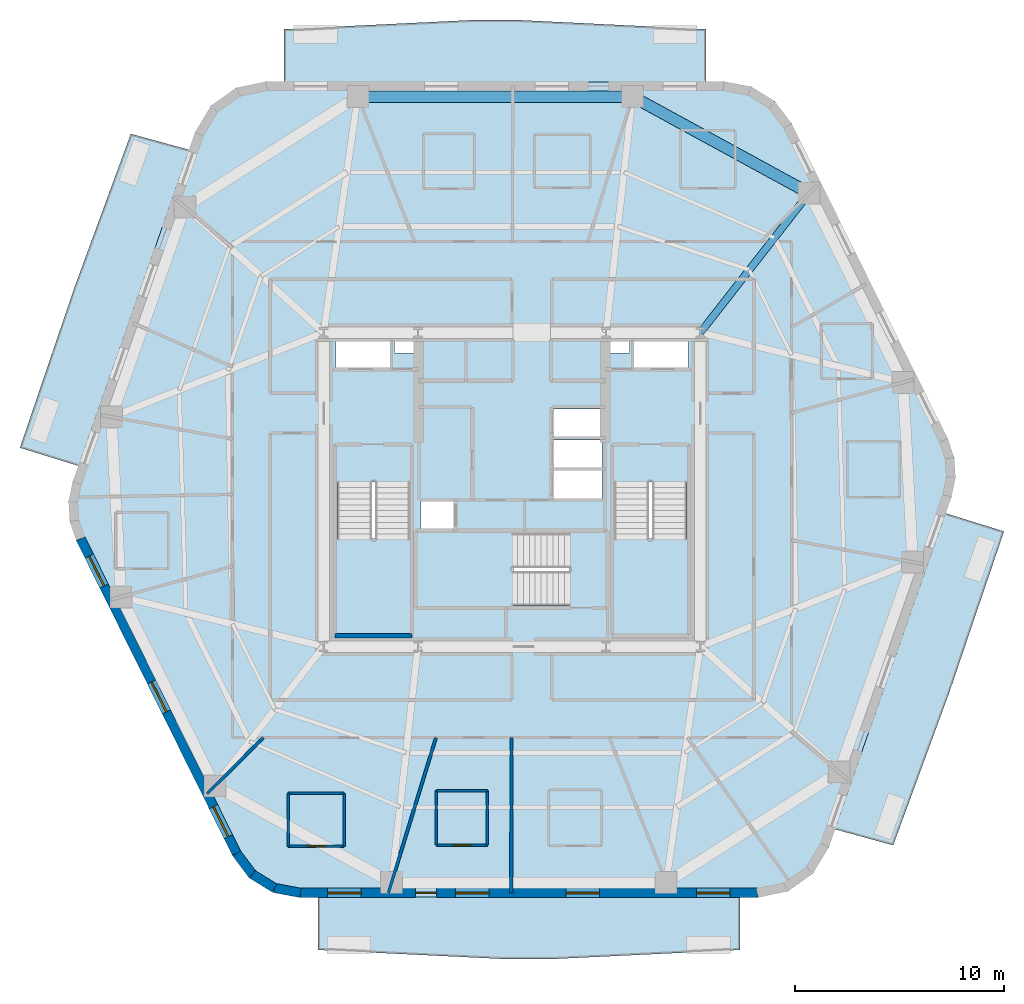
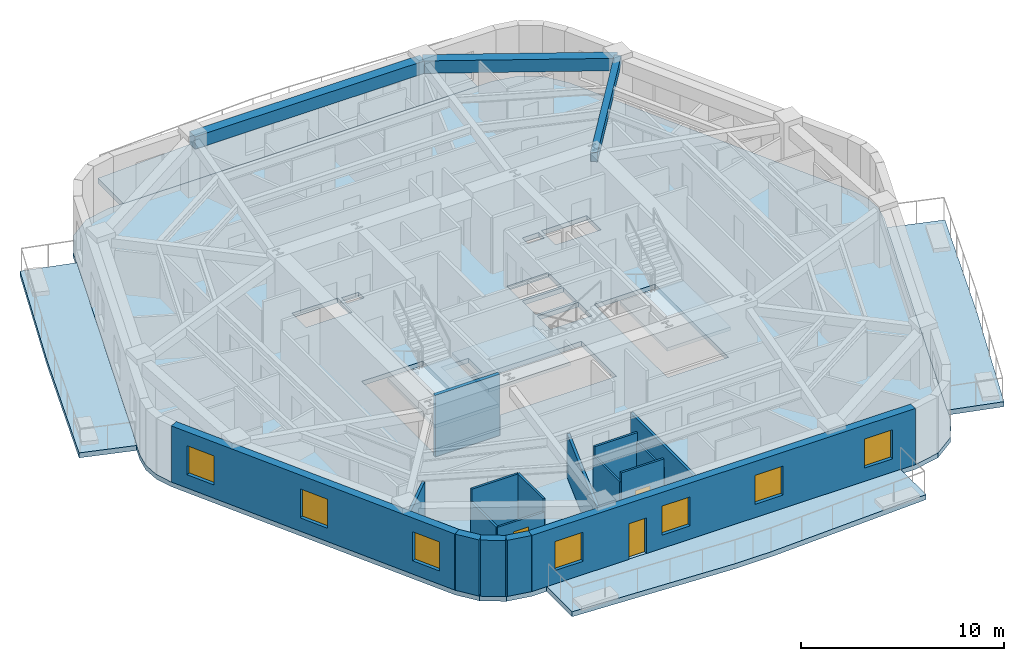
# One storey, part 2 of 11: 17 walls, 8 slabs, 7 windows, 3 beams, 3 doors, 10 openings, 3 elements without a shape of their own.
"""IFC4 building model written with IfcOpenShell, lengths in metres."""

import ifcopenshell
import ifcopenshell.guid

model = None  # the IFC model being written
_history = None  # IfcOwnerHistory: only IFC2X3 demands one
_inside = {}  # id of a spatial element -> (the spatial element, [elements in it])
_under = {}  # id of a project, library or spatial element -> (it, [spatial elements below it])
_declared = {}  # id of a project -> (the project, [libraries it declares])
_typed = {}  # id of a type object -> (the type object, [elements of that type])
_made_of = {}  # id of a material, layer set ... -> (it, [elements and type objects made of it])


def new_model(schema):
    """Start an empty IFC model of exactly this schema.

    Asked for "IFC4X3", IfcOpenShell would pick the latest addendum, in which some entities
    have other attributes; the version numbers below select the first issue.
    IFC2X3 requires an IfcOwnerHistory on every rooted entity: one is made here for all.
    """
    global model, _history
    if schema == "IFC4X3":
        model = ifcopenshell.file(schema_version=(4, 3, 0, 0))
    else:
        model = ifcopenshell.file(schema=schema)
    _inside.clear()
    _under.clear()
    _declared.clear()
    _typed.clear()
    _made_of.clear()
    _history = None
    if model.schema == "IFC2X3":
        org = make("IfcOrganization", Name="unknown")
        user = make(
            "IfcPersonAndOrganization",
            ThePerson=make("IfcPerson", FamilyName="unknown"),
            TheOrganization=org,
        )
        app = make(
            "IfcApplication",
            ApplicationDeveloper=org,
            Version="unknown",
            ApplicationFullName="unknown",
            ApplicationIdentifier="unknown",
        )
        _history = make(
            "IfcOwnerHistory",
            OwningUser=user,
            OwningApplication=app,
            ChangeAction="ADDED",
            CreationDate=0,
        )
    return model


def make(cls, **values):
    """One entity of the class cls with the attributes given. An attribute that is None is left unset."""
    return model.create_entity(
        cls, **{name: value for name, value in values.items() if value is not None}
    )


def rooted(cls, **values):
    """An entity with a GlobalId (a new one), such as an element, a storey or a relation."""
    return make(cls, GlobalId=ifcopenshell.guid.new(), OwnerHistory=_history, **values)


def si_unit(unit_type, name, prefix=None):
    """IfcSIUnit, for example si_unit("LENGTHUNIT", "METRE", prefix="MILLI")."""
    return make("IfcSIUnit", UnitType=unit_type, Prefix=prefix, Name=name)


def assignment(units):
    """IfcUnitAssignment: the units of a project."""
    return None if units is None else make("IfcUnitAssignment", Units=units)


def point(xyz):
    """IfcCartesianPoint."""
    return None if xyz is None else make("IfcCartesianPoint", Coordinates=xyz)


def direction(xyz):
    """IfcDirection."""
    return None if xyz is None else make("IfcDirection", DirectionRatios=xyz)


def frame(location, z_axis=None, x_axis=None):
    """IfcAxis2Placement3D, a coordinate frame: its origin and axes. An axis left out is left unset."""
    return make(
        "IfcAxis2Placement3D",
        Location=point(location),
        Axis=direction(z_axis),
        RefDirection=direction(x_axis),
    )


def frame_2d(location, x_axis=None):
    """IfcAxis2Placement2D, a coordinate frame in the plane: its origin and x axis."""
    return make(
        "IfcAxis2Placement2D", Location=point(location), RefDirection=direction(x_axis)
    )


def origin():
    """The frame at (0, 0, 0) with its axes left unset."""
    return frame((0.0, 0.0, 0.0))


def origin_2d():
    """The frame at (0, 0) in the plane with its x axis left unset."""
    return frame_2d((0.0, 0.0))


def place(relative_to, where):
    """IfcLocalPlacement: puts the frame where relative to a parent placement (None: the world)."""
    return make(
        "IfcLocalPlacement", PlacementRelTo=relative_to, RelativePlacement=where
    )


def context(
    kind, dimensions, precision=None, world=None, true_north=None, identifier=None
):
    """IfcGeometricRepresentationContext, for example the 3D "Model" context."""
    return make(
        "IfcGeometricRepresentationContext",
        ContextIdentifier=identifier,
        ContextType=kind,
        CoordinateSpaceDimension=dimensions,
        Precision=precision,
        WorldCoordinateSystem=world,
        TrueNorth=true_north,
    )


def subcontext(parent, identifier, kind, view, scale=None):
    """IfcGeometricRepresentationSubContext, for example "Body" below "Model"."""
    return make(
        "IfcGeometricRepresentationSubContext",
        ContextIdentifier=identifier,
        ContextType=kind,
        ParentContext=parent,
        TargetScale=scale,
        TargetView=view,
    )


def project(units=None, contexts=None):
    """IfcProject with its units and contexts."""
    return rooted(
        "IfcProject",
        Name="project",
        RepresentationContexts=contexts,
        UnitsInContext=assignment(units),
    )


def spatial(cls, under=None, at=None, **own):
    """A site, building, storey or space (cls), placed at a placement, below another one or the project."""
    s = rooted(cls, ObjectPlacement=at, **own)
    if under is not None:
        _under.setdefault(under.id(), (under, []))[1].append(s)
    return s


def polyline(points):
    """IfcPolyline through the points."""
    return make("IfcPolyline", Points=[point(p) for p in points])


def profile(cls, at=None, kind="AREA", **sizes):
    """A parametric profile (cls). Its sizes go by their IFC names, for example OverallWidth=200.0."""
    return make(cls, ProfileType=kind, Position=at, **sizes)


def rectangle(**sizes):
    """IfcRectangleProfileDef."""
    return profile("IfcRectangleProfileDef", **sizes)


def outline(outer, holes=None, kind="AREA"):
    """IfcArbitraryClosedProfileDef: a profile drawn as a closed curve; with holes, ...WithVoids."""
    if holes is None:
        return make("IfcArbitraryClosedProfileDef", ProfileType=kind, OuterCurve=outer)
    return make(
        "IfcArbitraryProfileDefWithVoids",
        ProfileType=kind,
        OuterCurve=outer,
        InnerCurves=holes,
    )


def extrude(swept, where, along, depth):
    """IfcExtrudedAreaSolid: the profile swept, set in the frame where, extruded along a direction by depth."""
    return make(
        "IfcExtrudedAreaSolid",
        SweptArea=swept,
        Position=where,
        ExtrudedDirection=direction(along),
        Depth=depth,
    )


def shape(context_of_items, identifier, shape_type, items):
    """IfcShapeRepresentation: the items that make up one representation, for example the "Body"."""
    return make(
        "IfcShapeRepresentation",
        ContextOfItems=context_of_items,
        RepresentationIdentifier=identifier,
        RepresentationType=shape_type,
        Items=items,
    )


def material(Name=None, Category=None):
    """IfcMaterial."""
    return make("IfcMaterial", Name=Name, Category=Category)


def layer(
    of_material, thickness, ventilated=None, Name=None, Category=None, Priority=None
):
    """IfcMaterialLayer: one layer of a wall or slab, of a material (None: an air gap)."""
    return make(
        "IfcMaterialLayer",
        Material=of_material,
        LayerThickness=thickness,
        IsVentilated=ventilated,
        Name=Name,
        Category=Category,
        Priority=Priority,
    )


def layer_set(layers, Name=None):
    """IfcMaterialLayerSet."""
    return make("IfcMaterialLayerSet", MaterialLayers=layers, LayerSetName=Name)


def material_profile(
    of_material, cross_section, Name=None, Category=None, Priority=None
):
    """IfcMaterialProfile: a cross section and its material."""
    return make(
        "IfcMaterialProfile",
        Name=Name,
        Material=of_material,
        Profile=cross_section,
        Priority=Priority,
        Category=Category,
    )


def profile_set(profiles, Name=None, composite=None):
    """IfcMaterialProfileSet."""
    return make(
        "IfcMaterialProfileSet",
        Name=Name,
        MaterialProfiles=profiles,
        CompositeProfile=composite,
    )


def made_of(thing, what):
    """Note that an element or type object is made of a material, layer set ...; save() writes the relation."""
    if what is not None:
        _made_of.setdefault(what.id(), (what, []))[1].append(thing)
    return thing


def type_object(cls, material=None, **own):
    """A type object (cls), such as IfcWallType, which elements share."""
    return made_of(rooted(cls, **own), material)


def element(
    cls,
    number,
    at=None,
    inside=None,
    cuts=None,
    type_object=None,
    material=None,
    context=None,
    identifier="Body",
    shape_type=None,
    held_by="IfcProductDefinitionShape",
    body=None,
    shapes=None,
    **own,
):
    """One element of the class cls, such as IfcWall. Its Tag is "e" and its number.

    at: its placement. inside: the storey or other place that contains it. cuts: it is an
    opening in that element (IfcRelVoidsElement). A single representation is given by context,
    identifier, shape_type and body (its items); several are given by shapes. held_by: the class
    of the entity that holds the representations. save() writes the other relations.
    """
    e = rooted(cls, Tag="e%d" % number, ObjectPlacement=at, **own)
    if body is not None:
        shapes = [shape(context, identifier, shape_type, body)]
    if shapes is not None:
        e.Representation = make(held_by, Representations=shapes)
    if inside is not None:
        _inside.setdefault(inside.id(), (inside, []))[1].append(e)
    if cuts is not None:
        rooted(
            "IfcRelVoidsElement", RelatingBuildingElement=cuts, RelatedOpeningElement=e
        )
    if type_object is not None:
        _typed.setdefault(type_object.id(), (type_object, []))[1].append(e)
    return made_of(e, material)


def fill(opening, filler):
    """IfcRelFillsElement: the door or window that sits in an opening."""
    return rooted(
        "IfcRelFillsElement",
        RelatingOpeningElement=opening,
        RelatedBuildingElement=filler,
    )


def aggregate(whole, parts):
    """IfcRelAggregates: a whole, such as a stair, and the parts it consists of."""
    return rooted("IfcRelAggregates", RelatingObject=whole, RelatedObjects=parts)


def save(model, path):
    """Write the relations noted so far, then the file.

    IfcRelAggregates (storeys below a building ...), IfcRelContainedInSpatialStructure (elements
    in a storey), IfcRelDefinesByType, IfcRelAssociatesMaterial and IfcRelDeclares: one each for
    every whole, place, type object, material and project.
    """
    for whole, parts in _under.values():
        aggregate(whole, parts)
    for where, things in _inside.values():
        rooted(
            "IfcRelContainedInSpatialStructure",
            RelatedElements=things,
            RelatingStructure=where,
        )
    for kind, things in _typed.values():
        rooted("IfcRelDefinesByType", RelatedObjects=things, RelatingType=kind)
    for what, things in _made_of.values():
        rooted("IfcRelAssociatesMaterial", RelatedObjects=things, RelatingMaterial=what)
    for by, libraries in _declared.values():
        rooted("IfcRelDeclares", RelatingContext=by, RelatedDefinitions=libraries)
    model.write(path)


model = new_model("IFC4")

# Units and contexts
model_context = context("Model", 3, precision=1e-05, world=origin(), true_north=direction((0.0, 1.0)))
body_context = subcontext(model_context, "Body", "Model", "MODEL_VIEW")
ifc_project = project(units=[si_unit("LENGTHUNIT", "METRE"), si_unit("AREAUNIT", "SQUARE_METRE"), si_unit("VOLUMEUNIT", "CUBIC_METRE"), si_unit("PLANEANGLEUNIT", "RADIAN"), si_unit("MASSUNIT", "GRAM", prefix="KILO")], contexts=[model_context])

# Site, building, storey
site_placement = place(None, origin())
site = spatial("IfcSite", under=ifc_project, at=site_placement, CompositionType="ELEMENT")
building_placement = place(site_placement, origin())
building = spatial("IfcBuilding", under=site, at=building_placement, Name="Kilnhurst Terrace Hotel", CompositionType="ELEMENT")
storey_placement = place(building_placement, frame((0.0, 0.0, 166.5)))
storey = spatial("IfcBuildingStorey", under=building, at=storey_placement, Name="L41", CompositionType="ELEMENT", Elevation=166.5)

# Beams
ifc_material_1 = material(Name="Concrete C50/60", Category="concrete")
ifc_material_profile_1 = material_profile(ifc_material_1, rectangle(XDim=0.35009765625, YDim=0.550048828125, at=origin_2d()), Name="RC350X550")
ifc_profile_set_1 = profile_set([ifc_material_profile_1], Name="Concrete C50/60")
beam_type_1 = type_object("IfcBeamType", Name="BM-RAD-350X550", PredefinedType="BEAM", material=ifc_profile_set_1)
beam_1_placement = place(storey_placement, frame((9.0, 7.5, 3.10498046875), z_axis=(0.615370616457, 0.78823791104, 0.0), x_axis=(-0.78823791104, 0.615370616457, 0.0)))
element("IfcBeam", 1, at=beam_1_placement, inside=storey, type_object=beam_type_1, Name="L41 Radial Floor Beam 6", PredefinedType="BEAM", context=body_context, shape_type="SweptSolid", body=[
    extrude(rectangle(XDim=0.35009765625, YDim=0.550048828125, at=origin_2d()), origin(), (0.0, 0.0, 1.0), 8.456787109375),
])
ifc_material_profile_2 = material_profile(ifc_material_1, rectangle(XDim=0.550048828125, YDim=0.75, at=origin_2d()), Name="RC550X750")
ifc_profile_set_2 = profile_set([ifc_material_profile_2], Name="Concrete C50/60")
beam_type_2 = type_object("IfcBeamType", Name="BM-SPN-550X750", PredefinedType="SPANDREL", material=ifc_profile_set_2)
beam_2_placement = place(storey_placement, frame((14.2041015625, 14.166015625, 3.0048828125), z_axis=(-0.87766189723, 0.479280287672, 0.0), x_axis=(-0.479280287672, -0.87766189723, 0.0)))
element("IfcBeam", 2, at=beam_2_placement, inside=storey, type_object=beam_type_2, Name="L41 Perimeter Spandrel Beam 6", PredefinedType="SPANDREL", context=body_context, shape_type="SweptSolid", body=[
    extrude(rectangle(XDim=0.550048828125, YDim=0.75, at=origin_2d()), origin(), (0.0, 0.0, 1.0), 9.626953125),
])
beam_3_placement = place(storey_placement, frame((5.7548828125, 18.780029296875, 3.0048828125), z_axis=(-1.0, 0.0, 0.0), x_axis=(0.0, -1.0, 0.0)))
element("IfcBeam", 3, at=beam_3_placement, inside=storey, type_object=beam_type_2, Name="L41 Perimeter Spandrel Beam 7", PredefinedType="SPANDREL", context=body_context, shape_type="SweptSolid", body=[
    extrude(rectangle(XDim=0.550048828125, YDim=0.75, at=origin_2d()), origin(), (0.0, 0.0, 1.0), 13.123779296875),
])

# Slabs
ifc_layer_1 = layer(ifc_material_1, 0.300048828125, Name="Concrete C50/60")
ifc_layer_set_1 = layer_set([ifc_layer_1], Name="Concrete C50/60")
slab_type_1 = type_object("IfcSlabType", Name="SLB-BAL-300", PredefinedType="FLOOR", material=ifc_layer_set_1)
slab_1_placement = place(storey_placement, frame((0.0, 0.0, -0.300048828125)))
element("IfcSlab", 4, at=slab_1_placement, inside=storey, type_object=slab_type_1, Name="L41 Cantilevered Planted Terrace Slab BAL-L1A", PredefinedType="FLOOR", context=body_context, shape_type="SweptSolid", body=[
    extrude(outline(polyline([(1.83642578125, -22.43994140625), (-0.221923828125, -22.43994140625), (-9.279296875, -22.0), (-9.279296875, -19.47998046875), (10.8935546875, -19.47998046875), (10.8935546875, -22.0), (1.83642578125, -22.43994140625)])), origin(), (0.0, 0.0, 1.0), 0.300048828125),
])
slab_2_placement = place(storey_placement, frame((0.0, 0.0, -0.300048828125)))
element("IfcSlab", 5, at=slab_2_placement, inside=storey, type_object=slab_type_1, Name="L41 Cantilevered Planted Terrace Slab BAL-L1B", PredefinedType="FLOOR", context=body_context, shape_type="SweptSolid", body=[
    extrude(outline(polyline([(18.216064453125, -17.0), (15.420654296875, -16.2314453125), (20.708251953125, -1.128662109375), (23.511962890625, -2.0), (20.892333984375, -9.7119140625), (18.216064453125, -17.0)])), origin(), (0.0, 0.0, 1.0), 0.300048828125),
])
slab_3_placement = place(storey_placement, frame((0.0, 0.0, -0.300048828125)))
element("IfcSlab", 6, at=slab_3_placement, inside=storey, type_object=slab_type_1, Name="L41 Cantilevered Planted Terrace Slab BAL-L2A", PredefinedType="FLOOR", context=body_context, shape_type="SweptSolid", body=[
    extrude(outline(polyline([(0.221923828125, 22.43994140625), (9.279296875, 22.0), (9.279296875, 19.47998046875), (-10.8935546875, 19.47998046875), (-10.8935546875, 22.0), (-1.83642578125, 22.43994140625), (0.221923828125, 22.43994140625)])), origin(), (0.0, 0.0, 1.0), 0.300048828125),
])
slab_4_placement = place(storey_placement, frame((0.0, 0.0, -0.300048828125)))
element("IfcSlab", 7, at=slab_4_placement, inside=storey, type_object=slab_type_1, Name="L41 Cantilevered Planted Terrace Slab BAL-L2B", PredefinedType="FLOOR", context=body_context, shape_type="SweptSolid", body=[
    extrude(outline(polyline([(-18.216064453125, 17.0), (-15.420654296875, 16.2314453125), (-20.708251953125, 1.128662109375), (-23.511962890625, 2.0), (-20.892333984375, 9.7119140625), (-18.216064453125, 17.0)])), origin(), (0.0, 0.0, 1.0), 0.300048828125),
])
ifc_layer_2 = layer(ifc_material_1, 0.280029296875, Name="Concrete C50/60")
ifc_layer_set_2 = layer_set([ifc_layer_2], Name="Concrete C50/60")
slab_type_2 = type_object("IfcSlabType", Name="SLB-FLR-280", PredefinedType="FLOOR", material=ifc_layer_set_2)
slab_5_placement = place(storey_placement, frame((0.0, 0.0, -0.280029296875)))
element("IfcSlab", 8, at=slab_5_placement, inside=storey, type_object=slab_type_2, Name="L41 Structural Floor Slab", PredefinedType="FLOOR", context=body_context, shape_type="SweptSolid", body=[
    extrude(outline(polyline([(-13.3544921875, -17.499267578125), (-12.5576171875, -18.5576171875), (-11.431640625, -19.256103515625), (-10.12939453125, -19.5), (11.74365234375, -19.5), (13.18310546875, -19.19970703125), (14.38232421875, -18.348876953125), (15.141357421875, -17.089599609375), (20.9990234375, -0.3583984375), (21.192138671875, 0.57568359375), (21.13330078125, 1.527587890625), (20.82666015625, 2.4306640625), (13.3544921875, 17.499267578125), (12.5576171875, 18.5576171875), (11.431640625, 19.256103515625), (10.12939453125, 19.5), (-11.74365234375, 19.5), (-13.18310546875, 19.19970703125), (-14.38232421875, 18.348876953125), (-15.141357421875, 17.089599609375), (-20.9990234375, 0.3583984375), (-21.192138671875, -0.57568359375), (-21.13330078125, -1.527587890625), (-20.82666015625, -2.4306640625), (-13.3544921875, -17.499267578125)]), holes=[polyline([(2.7548828125, -2.080078125), (2.7548828125, -5.550048828125), (-4.5, -5.550048828125), (-4.5, -2.080078125), (2.7548828125, -2.080078125)]), polyline([(-8.35009765625, 0.35498046875), (-4.8798828125, 0.35498046875), (-4.8798828125, -6.89990234375), (-8.35009765625, -6.89990234375), (-8.35009765625, 0.35498046875)]), polyline([(-2.800048828125, -1.89990234375), (-4.35009765625, -1.89990234375), (-4.35009765625, -0.550048828125), (-2.800048828125, -0.550048828125), (-2.800048828125, -1.89990234375)]), polyline([(1.949951171875, -0.429931640625), (1.949951171875, 0.89990234375), (4.300048828125, 0.89990234375), (4.300048828125, -0.429931640625), (1.949951171875, -0.429931640625)]), polyline([(-8.39990234375, 5.75), (-8.39990234375, 7.14990234375), (-5.800048828125, 7.14990234375), (-5.800048828125, 5.75), (-8.39990234375, 5.75)]), polyline([(-4.659912109375, 6.52001953125), (-5.6201171875, 6.52001953125), (-5.6201171875, 7.080078125), (-4.659912109375, 7.080078125), (-4.659912109375, 6.52001953125)]), polyline([(8.35009765625, 0.35498046875), (8.35009765625, -6.89990234375), (4.8798828125, -6.89990234375), (4.8798828125, 0.35498046875), (8.35009765625, 0.35498046875)]), polyline([(1.949951171875, 1.050048828125), (1.949951171875, 2.3798828125), (4.300048828125, 2.3798828125), (4.300048828125, 1.050048828125), (1.949951171875, 1.050048828125)]), polyline([(4.300048828125, 2.530029296875), (1.949951171875, 2.530029296875), (1.949951171875, 3.860107421875), (4.300048828125, 3.860107421875), (4.300048828125, 2.530029296875)]), polyline([(5.800048828125, 5.75), (5.800048828125, 7.14990234375), (8.39990234375, 7.14990234375), (8.39990234375, 5.75), (5.800048828125, 5.75)]), polyline([(4.659912109375, 6.52001953125), (4.659912109375, 7.080078125), (5.6201171875, 7.080078125), (5.6201171875, 6.52001953125), (4.659912109375, 6.52001953125)])]), origin(), (0.0, 0.0, 1.0), 0.280029296875),
])

# Stair, slab
stair_type = type_object("IfcStairType", Name="STR-CORE-1660", PredefinedType="HALF_TURN_STAIR", material=ifc_material_1)
stair_1_placement = place(storey_placement, origin())
stair_1 = element("IfcStair", 9, at=stair_1_placement, inside=storey, type_object=stair_type, Name="L41 ST-1", PredefinedType="HALF_TURN_STAIR")
ifc_layer_3 = layer(ifc_material_1, 0.199951171875, Name="Concrete C50/60")
ifc_layer_set_3 = layer_set([ifc_layer_3], Name="Concrete C50/60")
slab_type_3 = type_object("IfcSlabType", Name="SLB-ST-LND-200", PredefinedType="LANDING", material=ifc_layer_set_3)
slab_6_placement = place(storey_placement, frame((0.0, 0.0, 1.64990234375)))
slab_6 = element("IfcSlab", 10, at=slab_6_placement, type_object=slab_type_3, Name="ST-1 landing 1", PredefinedType="LANDING", context=body_context, shape_type="SweptSolid", body=[
    extrude(outline(polyline([(-8.429931640625, -2.330078125), (-4.800048828125, -2.330078125), (-4.800048828125, -6.97998046875), (-8.429931640625, -6.97998046875), (-8.429931640625, -2.330078125)])), origin(), (0.0, 0.0, 1.0), 0.2001953125),
])
aggregate(stair_1, [slab_6])

stair_2_placement = place(storey_placement, origin())
stair_2 = element("IfcStair", 11, at=stair_2_placement, inside=storey, type_object=stair_type, Name="L41 ST-2", PredefinedType="HALF_TURN_STAIR")
slab_7_placement = place(storey_placement, frame((0.0, 0.0, 1.64990234375)))
slab_7 = element("IfcSlab", 12, at=slab_7_placement, type_object=slab_type_3, Name="ST-2 landing 1", PredefinedType="LANDING", context=body_context, shape_type="SweptSolid", body=[
    extrude(outline(polyline([(4.800048828125, -2.330078125), (8.429931640625, -2.330078125), (8.429931640625, -6.97998046875), (4.800048828125, -6.97998046875), (4.800048828125, -2.330078125)])), origin(), (0.0, 0.0, 1.0), 0.2001953125),
])
aggregate(stair_2, [slab_7])

stair_3_placement = place(storey_placement, origin())
stair_3 = element("IfcStair", 13, at=stair_3_placement, inside=storey, type_object=stair_type, Name="L41 ST-3", PredefinedType="HALF_TURN_STAIR")
slab_8_placement = place(storey_placement, frame((0.0, 0.0, 1.64990234375)))
slab_8 = element("IfcSlab", 14, at=slab_8_placement, type_object=slab_type_3, Name="ST-3 landing 1", PredefinedType="LANDING", context=body_context, shape_type="SweptSolid", body=[
    extrude(outline(polyline([(0.070068359375, -2.0), (0.070068359375, -5.6298828125), (-4.580078125, -5.6298828125), (-4.580078125, -2.0), (0.070068359375, -2.0)])), origin(), (0.0, 0.0, 1.0), 0.2001953125),
])
aggregate(stair_3, [slab_8])

# Walls
ifc_material_2 = material(Name="Precast concrete C40/50", Category="concrete")
ifc_layer_4 = layer(ifc_material_2, 0.449951171875, Name="Precast concrete C40/50")
ifc_layer_set_4 = layer_set([ifc_layer_4], Name="Precast concrete C40/50")
wall_type_1 = type_object("IfcWallType", Name="WL-BRK-450", PredefinedType="SOLIDWALL", material=ifc_layer_set_4)
wall_1_placement = place(storey_placement, frame((-13.162353515625, -17.380615234375, 0.0), z_axis=(0.0, 0.0, 1.0), x_axis=(0.601515770517, -0.798860925205, 0.0)))
element("IfcWall", 15, at=wall_1_placement, inside=storey, type_object=wall_type_1, Name="L41 Rounded Corner Brick Wall C1.1", PredefinedType="SOLIDWALL", context=body_context, shape_type="SweptSolid", body=[
    extrude(rectangle(XDim=1.261962890625, YDim=0.449951171875, at=frame_2d((0.630859375, 0.0))), origin(), (0.0, 0.0, 1.0), 3.3798828125),
])
wall_2_placement = place(storey_placement, frame((-12.4033203125, -18.388671875, 0.0), z_axis=(0.0, 0.0, 1.0), x_axis=(0.849795170926, -0.527113049991, 0.0)))
element("IfcWall", 16, at=wall_2_placement, inside=storey, type_object=wall_type_1, Name="L41 Rounded Corner Brick Wall C1.2", PredefinedType="SOLIDWALL", context=body_context, shape_type="SweptSolid", body=[
    extrude(rectangle(XDim=1.24072265625, YDim=0.449951171875, at=frame_2d((0.620361328125, 0.0))), origin(), (0.0, 0.0, 1.0), 3.3798828125),
])
wall_3_placement = place(storey_placement, frame((-11.348876953125, -19.042724609375, 0.0), z_axis=(0.0, 0.0, 1.0), x_axis=(0.982931267051, -0.183973161772, 0.0)))
element("IfcWall", 17, at=wall_3_placement, inside=storey, type_object=wall_type_1, Name="L41 Rounded Corner Brick Wall C1.3", PredefinedType="SOLIDWALL", context=body_context, shape_type="SweptSolid", body=[
    extrude(rectangle(XDim=1.261962890625, YDim=0.449951171875, at=frame_2d((0.630859375, 0.0))), origin(), (0.0, 0.0, 1.0), 3.3798828125),
])

# Wall, openings, door, windows
wall_4_placement = place(storey_placement, frame((-10.1083984375, -19.27490234375, 0.0), z_axis=(0.0, 0.0, 1.0), x_axis=(1.0, 0.0, 0.0)))
wall_4 = element("IfcWall", 18, at=wall_4_placement, inside=storey, type_object=wall_type_1, Name="L41 Exterior Brick Facade Wall F1", PredefinedType="SOLIDWALL", context=body_context, shape_type="SweptSolid", body=[
    extrude(rectangle(XDim=21.828857421875, YDim=0.449951171875, at=frame_2d((10.91455078125, 0.0))), origin(), (0.0, 0.0, 1.0), 3.3798828125),
])
opening_1_placement = place(wall_4_placement, frame((5.5029296875, 0.0, 0.0)))
opening_1 = element("IfcOpeningElement", 19, at=opening_1_placement, cuts=wall_4, Name="Opening BD-1000", PredefinedType="OPENING", context=body_context, shape_type="SweptSolid", body=[
    extrude(rectangle(XDim=1.0, YDim=2.14990234375, at=frame_2d((0.5, 1.074951171875))), frame((0.0, 0.23486328125, 0.0), z_axis=(0.0, -1.0, 0.0), x_axis=(1.0, 0.0, 0.0)), (0.0, 0.0, 1.0), 0.469970703125),
])
opening_2_placement = place(wall_4_placement, frame((1.297119140625, 0.0, 0.800048828125)))
opening_2 = element("IfcOpeningElement", 20, at=opening_2_placement, cuts=wall_4, Name="Opening W-05", PredefinedType="OPENING", context=body_context, shape_type="SweptSolid", body=[
    extrude(rectangle(XDim=1.60009765625, YDim=1.75, at=frame_2d((0.800048828125, 0.875))), frame((0.0, 0.23486328125, 0.0), z_axis=(0.0, -1.0, 0.0), x_axis=(1.0, 0.0, 0.0)), (0.0, 0.0, 1.0), 0.469970703125),
])
opening_3_placement = place(wall_4_placement, frame((7.402099609375, 0.0, 0.800048828125)))
opening_3 = element("IfcOpeningElement", 21, at=opening_3_placement, cuts=wall_4, Name="Opening W-05", PredefinedType="OPENING", context=body_context, shape_type="SweptSolid", body=[
    extrude(rectangle(XDim=1.60009765625, YDim=1.75, at=frame_2d((0.800048828125, 0.875))), frame((0.0, 0.23486328125, 0.0), z_axis=(0.0, -1.0, 0.0), x_axis=(1.0, 0.0, 0.0)), (0.0, 0.0, 1.0), 0.469970703125),
])
opening_4_placement = place(wall_4_placement, frame((12.68408203125, 0.0, 0.800048828125)))
opening_4 = element("IfcOpeningElement", 22, at=opening_4_placement, cuts=wall_4, Name="Opening W-05", PredefinedType="OPENING", context=body_context, shape_type="SweptSolid", body=[
    extrude(rectangle(XDim=1.60009765625, YDim=1.75, at=frame_2d((0.800048828125, 0.875))), frame((0.0, 0.23486328125, 0.0), z_axis=(0.0, -1.0, 0.0), x_axis=(1.0, 0.0, 0.0)), (0.0, 0.0, 1.0), 0.469970703125),
])
opening_5_placement = place(wall_4_placement, frame((18.93310546875, 0.0, 0.800048828125)))
opening_5 = element("IfcOpeningElement", 23, at=opening_5_placement, cuts=wall_4, Name="Opening W-05", PredefinedType="OPENING", context=body_context, shape_type="SweptSolid", body=[
    extrude(rectangle(XDim=1.60009765625, YDim=1.75, at=frame_2d((0.800048828125, 0.875))), frame((0.0, 0.23486328125, 0.0), z_axis=(0.0, -1.0, 0.0), x_axis=(1.0, 0.0, 0.0)), (0.0, 0.0, 1.0), 0.469970703125),
])
ifc_material_3 = material(Name="Thermally Broken Bronze Aluminium Alloy 6063-T6 and Laminated Glass", Category="aluminium")
door_type_1 = type_object("IfcDoorType", Name="DR-EXT-BAL-1000", OperationType="NOTDEFINED", PredefinedType="DOOR", material=ifc_material_3)
door_1_placement = place(opening_1_placement, origin())
door_1 = element("IfcDoor", 24, at=door_1_placement, inside=storey, type_object=door_type_1, Name="L41 Planted Balcony Door BAL-L1A", OperationType="SINGLE_SWING_LEFT", OverallHeight=2.14990234375, OverallWidth=1.0, PredefinedType="DOOR", context=body_context, shape_type="SweptSolid", body=[
    extrude(rectangle(XDim=1.0, YDim=2.14990234375, at=frame_2d((0.5, 1.074951171875))), frame((0.0, 0.02490234375, 0.0), z_axis=(0.0, -1.0, 0.0), x_axis=(1.0, 0.0, 0.0)), (0.0, 0.0, 1.0), 0.050048828125),
])
fill(opening_1, door_1)
ifc_material_4 = material(Name="Thermally Broken Bronze Aluminium Alloy 6063-T6 and Low-E Glass", Category="aluminium")
window_type = type_object("IfcWindowType", Name="WIN-1600X1750", PartitioningType="SINGLE_PANEL", PredefinedType="WINDOW", material=ifc_material_4)
window_1_placement = place(opening_2_placement, origin())
window_1 = element("IfcWindow", 25, at=window_1_placement, inside=storey, type_object=window_type, Name="L41 Deep-Set Masonry Window F1.1", OverallHeight=1.75, OverallWidth=1.60009765625, PartitioningType="SINGLE_PANEL", PredefinedType="WINDOW", context=body_context, shape_type="SweptSolid", body=[
    extrude(rectangle(XDim=1.60009765625, YDim=1.75, at=frame_2d((0.800048828125, 0.875))), frame((0.0, 0.030029296875, 0.0), z_axis=(0.0, -1.0, 0.0), x_axis=(1.0, 0.0, 0.0)), (0.0, 0.0, 1.0), 0.06005859375),
])
fill(opening_2, window_1)
window_2_placement = place(opening_3_placement, origin())
window_2 = element("IfcWindow", 26, at=window_2_placement, inside=storey, type_object=window_type, Name="L41 Deep-Set Masonry Window F1.2", OverallHeight=1.75, OverallWidth=1.60009765625, PartitioningType="SINGLE_PANEL", PredefinedType="WINDOW", context=body_context, shape_type="SweptSolid", body=[
    extrude(rectangle(XDim=1.60009765625, YDim=1.75, at=frame_2d((0.800048828125, 0.875))), frame((0.0, 0.030029296875, 0.0), z_axis=(0.0, -1.0, 0.0), x_axis=(1.0, 0.0, 0.0)), (0.0, 0.0, 1.0), 0.06005859375),
])
fill(opening_3, window_2)
window_3_placement = place(opening_4_placement, origin())
window_3 = element("IfcWindow", 27, at=window_3_placement, inside=storey, type_object=window_type, Name="L41 Deep-Set Masonry Window F1.3", OverallHeight=1.75, OverallWidth=1.60009765625, PartitioningType="SINGLE_PANEL", PredefinedType="WINDOW", context=body_context, shape_type="SweptSolid", body=[
    extrude(rectangle(XDim=1.60009765625, YDim=1.75, at=frame_2d((0.800048828125, 0.875))), frame((0.0, 0.030029296875, 0.0), z_axis=(0.0, -1.0, 0.0), x_axis=(1.0, 0.0, 0.0)), (0.0, 0.0, 1.0), 0.06005859375),
])
fill(opening_4, window_3)
window_4_placement = place(opening_5_placement, origin())
window_4 = element("IfcWindow", 28, at=window_4_placement, inside=storey, type_object=window_type, Name="L41 Deep-Set Masonry Window F1.4", OverallHeight=1.75, OverallWidth=1.60009765625, PartitioningType="SINGLE_PANEL", PredefinedType="WINDOW", context=body_context, shape_type="SweptSolid", body=[
    extrude(rectangle(XDim=1.60009765625, YDim=1.75, at=frame_2d((0.800048828125, 0.875))), frame((0.0, 0.030029296875, 0.0), z_axis=(0.0, -1.0, 0.0), x_axis=(1.0, 0.0, 0.0)), (0.0, 0.0, 1.0), 0.06005859375),
])
fill(opening_5, window_4)

# Wall, openings, windows
wall_5_placement = place(storey_placement, frame((-20.618408203125, -2.343994140625, 0.0), z_axis=(0.0, 0.0, 1.0), x_axis=(0.444243691097, -0.895905990002, 0.0)))
wall_5 = element("IfcWall", 29, at=wall_5_placement, inside=storey, type_object=wall_type_1, Name="L41 Exterior Brick Facade Wall F6", PredefinedType="SOLIDWALL", context=body_context, shape_type="SweptSolid", body=[
    extrude(rectangle(XDim=16.78369140625, YDim=0.449951171875, at=frame_2d((8.391845703125, 0.0))), origin(), (0.0, 0.0, 1.0), 3.3798828125),
])
opening_6_placement = place(wall_5_placement, frame((0.930908203125, 0.0, 0.800048828125)))
opening_6 = element("IfcOpeningElement", 30, at=opening_6_placement, cuts=wall_5, Name="Opening W-05", PredefinedType="OPENING", context=body_context, shape_type="SweptSolid", body=[
    extrude(rectangle(XDim=1.60009765625, YDim=1.75, at=frame_2d((0.800048828125, 0.875))), frame((0.0, 0.23486328125, 0.0), z_axis=(0.0, -1.0, 0.0), x_axis=(1.0, 0.0, 0.0)), (0.0, 0.0, 1.0), 0.469970703125),
])
opening_7_placement = place(wall_5_placement, frame((7.64208984375, 0.0, 0.800048828125)))
opening_7 = element("IfcOpeningElement", 31, at=opening_7_placement, cuts=wall_5, Name="Opening W-05", PredefinedType="OPENING", context=body_context, shape_type="SweptSolid", body=[
    extrude(rectangle(XDim=1.60009765625, YDim=1.75, at=frame_2d((0.800048828125, 0.875))), frame((0.0, 0.23486328125, 0.0), z_axis=(0.0, -1.0, 0.0), x_axis=(1.0, 0.0, 0.0)), (0.0, 0.0, 1.0), 0.469970703125),
])
opening_8_placement = place(wall_5_placement, frame((14.302978515625, 0.0, 0.800048828125)))
opening_8 = element("IfcOpeningElement", 32, at=opening_8_placement, cuts=wall_5, Name="Opening W-05", PredefinedType="OPENING", context=body_context, shape_type="SweptSolid", body=[
    extrude(rectangle(XDim=1.60009765625, YDim=1.75, at=frame_2d((0.800048828125, 0.875))), frame((0.0, 0.23486328125, 0.0), z_axis=(0.0, -1.0, 0.0), x_axis=(1.0, 0.0, 0.0)), (0.0, 0.0, 1.0), 0.469970703125),
])
window_5_placement = place(opening_6_placement, origin())
window_5 = element("IfcWindow", 33, at=window_5_placement, inside=storey, type_object=window_type, Name="L41 Deep-Set Masonry Window F6.1", OverallHeight=1.75, OverallWidth=1.60009765625, PartitioningType="SINGLE_PANEL", PredefinedType="WINDOW", context=body_context, shape_type="SweptSolid", body=[
    extrude(rectangle(XDim=1.60009765625, YDim=1.75, at=frame_2d((0.800048828125, 0.875))), frame((0.0, 0.030029296875, 0.0), z_axis=(0.0, -1.0, 0.0), x_axis=(1.0, 0.0, 0.0)), (0.0, 0.0, 1.0), 0.06005859375),
])
fill(opening_6, window_5)
window_6_placement = place(opening_7_placement, origin())
window_6 = element("IfcWindow", 34, at=window_6_placement, inside=storey, type_object=window_type, Name="L41 Deep-Set Masonry Window F6.2", OverallHeight=1.75, OverallWidth=1.60009765625, PartitioningType="SINGLE_PANEL", PredefinedType="WINDOW", context=body_context, shape_type="SweptSolid", body=[
    extrude(rectangle(XDim=1.60009765625, YDim=1.75, at=frame_2d((0.800048828125, 0.875))), frame((0.0, 0.030029296875, 0.0), z_axis=(0.0, -1.0, 0.0), x_axis=(1.0, 0.0, 0.0)), (0.0, 0.0, 1.0), 0.06005859375),
])
fill(opening_7, window_6)
window_7_placement = place(opening_8_placement, origin())
window_7 = element("IfcWindow", 35, at=window_7_placement, inside=storey, type_object=window_type, Name="L41 Deep-Set Masonry Window F6.3", OverallHeight=1.75, OverallWidth=1.60009765625, PartitioningType="SINGLE_PANEL", PredefinedType="WINDOW", context=body_context, shape_type="SweptSolid", body=[
    extrude(rectangle(XDim=1.60009765625, YDim=1.75, at=frame_2d((0.800048828125, 0.875))), frame((0.0, 0.030029296875, 0.0), z_axis=(0.0, -1.0, 0.0), x_axis=(1.0, 0.0, 0.0)), (0.0, 0.0, 1.0), 0.06005859375),
])
fill(opening_8, window_7)

# Walls
ifc_material_5 = material(Name="STC-58 Acoustic Twin-Frame Guestroom Demising Partition")
ifc_layer_5 = layer(ifc_material_5, 0.14990234375, Name="STC-58 Acoustic Twin-Frame Guestroom Demising Partition")
ifc_layer_set_5 = layer_set([ifc_layer_5], Name="STC-58 Acoustic Twin-Frame Guestroom Demising Partition")
wall_type_2 = type_object("IfcWallType", Name="WL-DEM-150", PredefinedType="PARTITIONING", material=ifc_layer_set_5)
wall_6_placement = place(storey_placement, frame((-11.8818359375, -11.85009765625, 0.0), z_axis=(0.0, 0.0, 1.0), x_axis=(-0.708037373639, -0.706174962407, 0.0)))
element("IfcWall", 36, at=wall_6_placement, inside=storey, type_object=wall_type_2, Name="L41 Interior Wall WL-L41-DEM-COL08-12-1", PredefinedType="PARTITIONING", context=body_context, shape_type="SweptSolid", body=[
    extrude(rectangle(XDim=3.801513671875, YDim=0.14990234375, at=frame_2d((1.90087890625, 0.0))), origin(), (0.0, 0.0, 1.0), 2.6201171875),
])
wall_7_placement = place(storey_placement, frame((-3.63134765625, -11.85009765625, 0.0), z_axis=(0.0, 0.0, 1.0), x_axis=(-0.293007573338, -0.956110120209, 0.0)))
element("IfcWall", 37, at=wall_7_placement, inside=storey, type_object=wall_type_2, Name="L41 Interior Wall WL-L41-DEM-COL09-13-1", PredefinedType="PARTITIONING", context=body_context, shape_type="SweptSolid", body=[
    extrude(rectangle(XDim=7.765625, YDim=0.14990234375, at=frame_2d((3.8828125, 0.0))), origin(), (0.0, 0.0, 1.0), 2.6201171875),
])
wall_8_placement = place(storey_placement, frame((-0.023681640625, -11.85009765625, 0.0), z_axis=(0.0, 0.0, 1.0), x_axis=(-0.001972901592, -0.999998053828, 0.0)))
element("IfcWall", 38, at=wall_8_placement, inside=storey, type_object=wall_type_2, Name="L41 Interior Wall WL-L41-DEM-MID09-14-1", PredefinedType="PARTITIONING", context=body_context, shape_type="SweptSolid", body=[
    extrude(rectangle(XDim=7.4248046875, YDim=0.14990234375, at=frame_2d((3.71240234375, 0.0))), origin(), (0.0, 0.0, 1.0), 2.6201171875),
])

# Wall, opening, door
ifc_material_6 = material(Name="120 mm Moisture-Resistant Tile-Backed Bathroom Partition")
ifc_layer_6 = layer(ifc_material_6, 0.1201171875, Name="120 mm Moisture-Resistant Tile-Backed Bathroom Partition")
ifc_layer_set_6 = layer_set([ifc_layer_6], Name="120 mm Moisture-Resistant Tile-Backed Bathroom Partition")
wall_type_3 = type_object("IfcWallType", Name="WL-PART-120", PredefinedType="PARTITIONING", material=ifc_layer_set_6)
wall_9_placement = place(storey_placement, frame((-10.697998046875, -17.055908203125, 0.0), z_axis=(0.0, 0.0, 1.0), x_axis=(1.0, 0.0, 0.0)))
wall_9 = element("IfcWall", 39, at=wall_9_placement, inside=storey, type_object=wall_type_3, Name="L41 Interior Wall WL-L41-BTH-12-1", PredefinedType="PARTITIONING", context=body_context, shape_type="SweptSolid", body=[
    extrude(rectangle(XDim=2.679931640625, YDim=0.1201171875, at=frame_2d((1.33984375, 0.0))), origin(), (0.0, 0.0, 1.0), 2.6201171875),
])
opening_9_placement = place(wall_9_placement, frame((0.9150390625, 0.0, 0.0)))
opening_9 = element("IfcOpeningElement", 40, at=opening_9_placement, cuts=wall_9, Name="Opening D-08A", PredefinedType="OPENING", context=body_context, shape_type="SweptSolid", body=[
    extrude(rectangle(XDim=0.85009765625, YDim=2.030029296875, at=frame_2d((0.425048828125, 1.01513671875))), frame((0.0, 0.070068359375, 0.0), z_axis=(0.0, -1.0, 0.0), x_axis=(1.0, 0.0, 0.0)), (0.0, 0.0, 1.0), 0.14013671875),
])
ifc_material_7 = material(Name="Moisture-Resistant Lacquered En-suite Bathroom Door")
door_type_2 = type_object("IfcDoorType", Name="DR-INT-850", OperationType="NOTDEFINED", PredefinedType="DOOR", material=ifc_material_7)
door_2_placement = place(opening_9_placement, origin())
door_2 = element("IfcDoor", 41, at=door_2_placement, inside=storey, type_object=door_type_2, Name="L41 En-suite Bathroom Door 12", OperationType="SINGLE_SWING_LEFT", OverallHeight=2.030029296875, OverallWidth=0.85009765625, PredefinedType="DOOR", context=body_context, shape_type="SweptSolid", body=[
    extrude(rectangle(XDim=0.85009765625, YDim=2.030029296875, at=frame_2d((0.425048828125, 1.01513671875))), frame((0.0, 0.02490234375, 0.0), z_axis=(0.0, -1.0, 0.0), x_axis=(1.0, 0.0, 0.0)), (0.0, 0.0, 1.0), 0.050048828125),
])
fill(opening_9, door_2)

# Walls
wall_10_placement = place(storey_placement, frame((-8.01806640625, -17.055908203125, 0.0), z_axis=(0.0, 0.0, 1.0), x_axis=(0.0, 1.0, 0.0)))
element("IfcWall", 42, at=wall_10_placement, inside=storey, type_object=wall_type_3, Name="L41 Interior Wall WL-L41-BTH-12-2", PredefinedType="PARTITIONING", context=body_context, shape_type="SweptSolid", body=[
    extrude(rectangle(XDim=2.539794921875, YDim=0.1201171875, at=frame_2d((1.27001953125, 0.0))), origin(), (0.0, 0.0, 1.0), 3.3798828125),
])
wall_11_placement = place(storey_placement, frame((-8.01806640625, -14.51611328125, 0.0), z_axis=(0.0, 0.0, 1.0), x_axis=(-1.0, 0.0, 0.0)))
element("IfcWall", 43, at=wall_11_placement, inside=storey, type_object=wall_type_3, Name="L41 Interior Wall WL-L41-BTH-12-3", PredefinedType="PARTITIONING", context=body_context, shape_type="SweptSolid", body=[
    extrude(rectangle(XDim=2.679931640625, YDim=0.1201171875, at=frame_2d((1.33984375, 0.0))), origin(), (0.0, 0.0, 1.0), 3.3798828125),
])
wall_12_placement = place(storey_placement, frame((-10.697998046875, -14.51611328125, 0.0), z_axis=(0.0, 0.0, 1.0), x_axis=(0.0, -1.0, 0.0)))
element("IfcWall", 44, at=wall_12_placement, inside=storey, type_object=wall_type_3, Name="L41 Interior Wall WL-L41-BTH-12-4", PredefinedType="PARTITIONING", context=body_context, shape_type="SweptSolid", body=[
    extrude(rectangle(XDim=2.539794921875, YDim=0.1201171875, at=frame_2d((1.27001953125, 0.0))), origin(), (0.0, 0.0, 1.0), 2.6201171875),
])

# Wall, opening, door
wall_13_placement = place(storey_placement, frame((-3.614990234375, -16.992919921875, 0.0), z_axis=(0.0, 0.0, 1.0), x_axis=(1.0, 0.0, 0.0)))
wall_13 = element("IfcWall", 45, at=wall_13_placement, inside=storey, type_object=wall_type_3, Name="L41 Interior Wall WL-L41-BTH-13-1", PredefinedType="PARTITIONING", context=body_context, shape_type="SweptSolid", body=[
    extrude(rectangle(XDim=2.43994140625, YDim=0.1201171875, at=frame_2d((1.219970703125, 0.0))), origin(), (0.0, 0.0, 1.0), 3.3798828125),
])
opening_10_placement = place(wall_13_placement, frame((0.794921875, 0.0, 0.0)))
opening_10 = element("IfcOpeningElement", 46, at=opening_10_placement, cuts=wall_13, Name="Opening D-08A", PredefinedType="OPENING", context=body_context, shape_type="SweptSolid", body=[
    extrude(rectangle(XDim=0.85009765625, YDim=2.030029296875, at=frame_2d((0.425048828125, 1.01513671875))), frame((0.0, 0.070068359375, 0.0), z_axis=(0.0, -1.0, 0.0), x_axis=(1.0, 0.0, 0.0)), (0.0, 0.0, 1.0), 0.14013671875),
])
door_3_placement = place(opening_10_placement, origin())
door_3 = element("IfcDoor", 47, at=door_3_placement, inside=storey, type_object=door_type_2, Name="L41 En-suite Bathroom Door 13", OperationType="SINGLE_SWING_RIGHT", OverallHeight=2.030029296875, OverallWidth=0.85009765625, PredefinedType="DOOR", context=body_context, shape_type="SweptSolid", body=[
    extrude(rectangle(XDim=0.85009765625, YDim=2.030029296875, at=frame_2d((0.425048828125, 1.01513671875))), frame((0.0, 0.02490234375, 0.0), z_axis=(0.0, -1.0, 0.0), x_axis=(1.0, 0.0, 0.0)), (0.0, 0.0, 1.0), 0.050048828125),
])
fill(opening_10, door_3)

# Walls
wall_14_placement = place(storey_placement, frame((-1.175048828125, -16.992919921875, 0.0), z_axis=(0.0, 0.0, 1.0), x_axis=(0.0, 1.0, 0.0)))
element("IfcWall", 48, at=wall_14_placement, inside=storey, type_object=wall_type_3, Name="L41 Interior Wall WL-L41-BTH-13-2", PredefinedType="PARTITIONING", context=body_context, shape_type="SweptSolid", body=[
    extrude(rectangle(XDim=2.60986328125, YDim=0.1201171875, at=frame_2d((1.304931640625, 0.0))), origin(), (0.0, 0.0, 1.0), 2.8203125),
])
wall_15_placement = place(storey_placement, frame((-1.175048828125, -14.383056640625, 0.0), z_axis=(0.0, 0.0, 1.0), x_axis=(-1.0, 0.0, 0.0)))
element("IfcWall", 49, at=wall_15_placement, inside=storey, type_object=wall_type_3, Name="L41 Interior Wall WL-L41-BTH-13-3", PredefinedType="PARTITIONING", context=body_context, shape_type="SweptSolid", body=[
    extrude(rectangle(XDim=2.43994140625, YDim=0.1201171875, at=frame_2d((1.219970703125, 0.0))), origin(), (0.0, 0.0, 1.0), 3.3798828125),
])
wall_16_placement = place(storey_placement, frame((-3.614990234375, -14.383056640625, 0.0), z_axis=(0.0, 0.0, 1.0), x_axis=(0.0, -1.0, 0.0)))
element("IfcWall", 50, at=wall_16_placement, inside=storey, type_object=wall_type_3, Name="L41 Interior Wall WL-L41-BTH-13-4", PredefinedType="PARTITIONING", context=body_context, shape_type="SweptSolid", body=[
    extrude(rectangle(XDim=2.60986328125, YDim=0.1201171875, at=frame_2d((1.304931640625, 0.0))), origin(), (0.0, 0.0, 1.0), 2.8203125),
])
ifc_layer_7 = layer(ifc_material_1, 0.199951171875, Name="Concrete C50/60")
ifc_layer_set_7 = layer_set([ifc_layer_7], Name="Concrete C50/60")
wall_type_4 = type_object("IfcWallType", Name="WL-STAIR-RC-200", PredefinedType="SHEAR", material=ifc_layer_set_7)
wall_17_placement = place(storey_placement, frame((-8.4580078125, -6.985107421875, 0.0), z_axis=(0.0, 0.0, 1.0), x_axis=(1.0, 0.0, 0.0)))
element("IfcWall", 51, at=wall_17_placement, inside=storey, type_object=wall_type_4, Name="L41 Structural Stair Shaft Wall WL-L41-ST1-S", PredefinedType="SHEAR", context=body_context, shape_type="SweptSolid", body=[
    extrude(rectangle(XDim=3.68603515625, YDim=0.199951171875, at=frame_2d((1.843017578125, 0.0))), origin(), (0.0, 0.0, 1.0), 3.699951171875),
])

save(model, "model.ifc")
